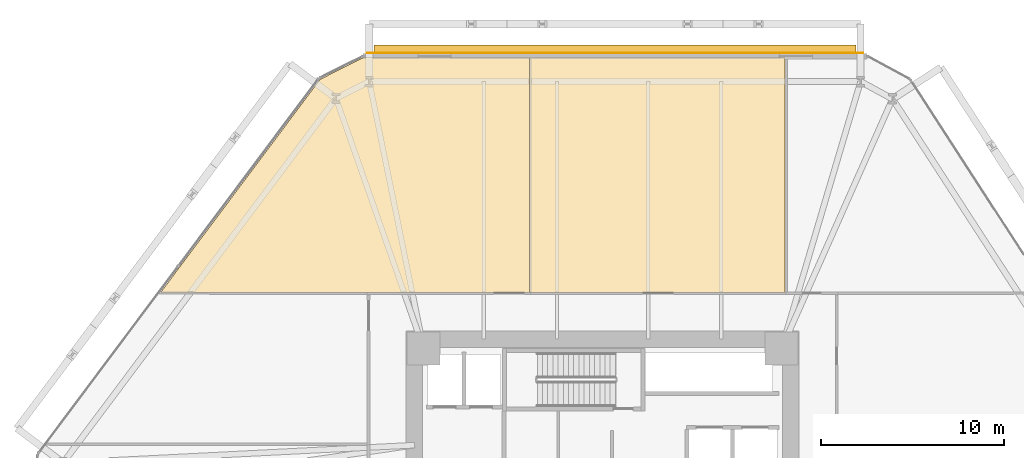
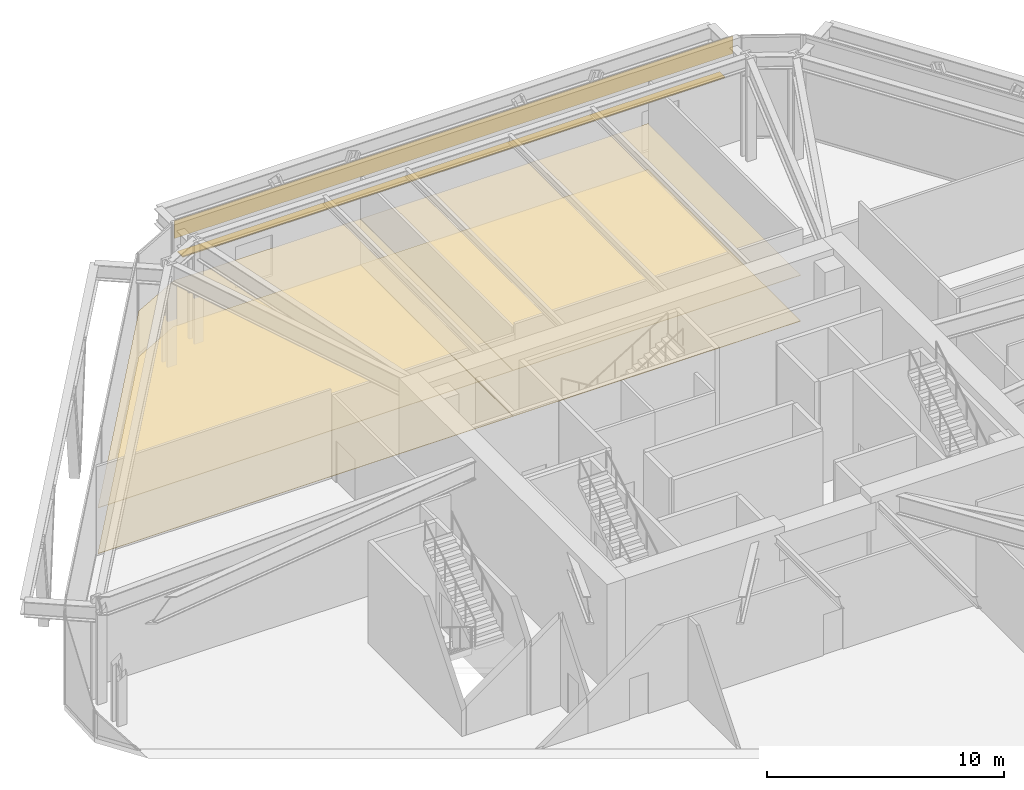
# One storey, part 19 of 19: 5 coverings, 1 shading device.
"""IFC4 building model written with IfcOpenShell, lengths in metres."""

from ifc_helpers import new_model, si_unit, direction, frame, origin, origin_2d, place, context, subcontext, project, spatial, polyline, rectangle, outline, extrude, source, transform, mapped, material, layer, layer_set, type_object, type_shapes, element, save


model = new_model("IFC4")

# Units and contexts
model_context = context("Model", 3, precision=1e-05, world=origin(), true_north=direction((0.0, 1.0)))
body_context = subcontext(model_context, "Body", "Model", "MODEL_VIEW")
ifc_project = project(units=[si_unit("LENGTHUNIT", "METRE"), si_unit("AREAUNIT", "SQUARE_METRE"), si_unit("VOLUMEUNIT", "CUBIC_METRE"), si_unit("PLANEANGLEUNIT", "RADIAN"), si_unit("MASSUNIT", "GRAM", prefix="KILO")], contexts=[model_context])

# Site, building, storey
site_placement = place(None, origin())
site = spatial("IfcSite", under=ifc_project, at=site_placement, CompositionType="ELEMENT")
building_placement = place(site_placement, origin())
building = spatial("IfcBuilding", under=site, at=building_placement, Name="Durnholm Broadcast Tower", CompositionType="ELEMENT")
storey_placement = place(building_placement, frame((0.0, 0.0, 15.60009765625)))
storey = spatial("IfcBuildingStorey", under=building, at=storey_placement, Name="L03", CompositionType="ELEMENT", Elevation=15.60009765625)

# Coverings
ifc_material_1 = material(Name="Mineral Fiber Acoustic Ceiling Tile", Category="concrete")
ifc_layer_1 = layer(ifc_material_1, 0.02490234375)
ifc_layer_set_1 = layer_set([ifc_layer_1], Name="Mineral Fiber Acoustic Ceiling Tile")
covering_type_1 = type_object("IfcCoveringType", Name="COV-CEIL-AC", PredefinedType="CEILING", material=ifc_layer_set_1)
covering_1_placement = place(storey_placement, frame((0.0, 0.0, 2.349853515625)))
element("IfcCovering", 1, at=covering_1_placement, inside=storey, type_object=covering_type_1, Name="L03 Television Production Hall 3A acoustic ceiling", PredefinedType="CEILING", context=body_context, shape_type="SweptSolid", body=[
    extrude(outline(polyline([(-4.0048828125, 23.715087890625), (-13.082763671875, 23.715087890625), (-15.461181640625, 22.5244140625), (-24.19384765625, 10.85498046875), (-4.0048828125, 10.85498046875), (-4.0048828125, 23.715087890625)])), origin(), (0.0, 0.0, 1.0), 0.025146484375),
])
covering_2_placement = place(storey_placement, frame((0.0, 0.0, 2.349853515625)))
element("IfcCovering", 2, at=covering_2_placement, inside=storey, type_object=covering_type_1, Name="L03 Broadcast Audience Auditorium 3B acoustic ceiling", PredefinedType="CEILING", context=body_context, shape_type="SweptSolid", body=[
    extrude(outline(polyline([(9.9951171875, 10.85498046875), (9.9951171875, 23.715087890625), (-3.9951171875, 23.715087890625), (-3.9951171875, 10.85498046875), (9.9951171875, 10.85498046875)])), origin(), (0.0, 0.0, 1.0), 0.025146484375),
])
ifc_material_2 = material(Name="Engineered Oak Acoustic Broadcast Flooring", Category="wood")
ifc_layer_2 = layer(ifc_material_2, 0.02001953125)
ifc_layer_set_2 = layer_set([ifc_layer_2], Name="Engineered Oak Acoustic Broadcast Flooring")
covering_type_2 = type_object("IfcCoveringType", Name="COV-FLR-OAK", PredefinedType="FLOORING", material=ifc_layer_set_2)
covering_3_placement = place(storey_placement, origin())
element("IfcCovering", 3, at=covering_3_placement, inside=storey, type_object=covering_type_2, Name="L03 Television Production Hall 3A acoustic oak flooring", PredefinedType="FLOORING", context=body_context, shape_type="SweptSolid", body=[
    extrude(outline(polyline([(-4.0048828125, 23.715087890625), (-13.082763671875, 23.715087890625), (-15.461181640625, 22.5244140625), (-24.19384765625, 10.85498046875), (-4.0048828125, 10.85498046875), (-4.0048828125, 23.715087890625)])), origin(), (0.0, 0.0, 1.0), 0.02001953125),
])
covering_4_placement = place(storey_placement, origin())
element("IfcCovering", 4, at=covering_4_placement, inside=storey, type_object=covering_type_2, Name="L03 Broadcast Audience Auditorium 3B acoustic oak flooring", PredefinedType="FLOORING", context=body_context, shape_type="SweptSolid", body=[
    extrude(outline(polyline([(9.9951171875, 10.85498046875), (9.9951171875, 23.715087890625), (-3.9951171875, 23.715087890625), (-3.9951171875, 10.85498046875), (9.9951171875, 10.85498046875)])), origin(), (0.0, 0.0, 1.0), 0.02001953125),
])
ifc_material_3 = material(Name="Anodised Aluminium Spandrel Cladding", Category="aluminium")
ifc_layer_3 = layer(ifc_material_3, 0.0400390625)
ifc_layer_set_3 = layer_set([ifc_layer_3], Name="Anodised Aluminium Spandrel Cladding")
covering_type_3 = type_object("IfcCoveringType", Name="COV-EXT-CLAD", PredefinedType="CLADDING", material=ifc_layer_set_3)
shared_shape_1 = source(origin(), body_context, "Body", "SweptSolid", [
    extrude(rectangle(XDim=27.177978515625, YDim=0.0400390625, at=origin_2d()), origin(), (0.0, 0.0, 1.0), 0.89990234375),
])
type_shapes(covering_type_3, [shared_shape_1])
covering_5_placement = place(storey_placement, frame((0.68603515625, 23.969970703125, 4.329833984375), z_axis=(0.0, 0.0, 1.0), x_axis=(1.0, 0.0, 0.0)))
element("IfcCovering", 5, at=covering_5_placement, inside=storey, type_object=covering_type_3, Name="L03 podium spandrel metal cladding 04", PredefinedType="CLADDING", context=body_context, shape_type="MappedRepresentation", body=[
    mapped(shared_shape_1, transform((0.0, 0.0, 0.0), x_axis=(1.0, 0.0, 0.0), y_axis=(0.0, 1.0, 0.0), z_axis=(0.0, 0.0, 1.0), scale=1.0)),
])

# Shading device
ifc_material_4 = material(Name="Extruded Aluminium Sunshade Fin", Category="aluminium")
ifc_layer_4 = layer(ifc_material_4, 0.06005859375)
ifc_layer_set_4 = layer_set([ifc_layer_4], Name="Extruded Aluminium Sunshade Fin")
shading_device_type = type_object("IfcShadingDeviceType", Name="SHD-SUN-BLADE", PredefinedType="JALOUSIE", material=ifc_layer_set_4)
shared_shape_2 = source(origin(), body_context, "Body", "SweptSolid", [
    extrude(rectangle(XDim=26.3779296875, YDim=0.449951171875, at=origin_2d()), origin(), (0.0, 0.0, 1.0), 0.06005859375),
])
type_shapes(shading_device_type, [shared_shape_2])
shading_device_placement = place(storey_placement, frame((0.68603515625, 24.169921875, 3.219970703125), z_axis=(0.0, 0.0, 1.0), x_axis=(1.0, 0.0, 0.0)))
element("IfcShadingDevice", 6, at=shading_device_placement, inside=storey, type_object=shading_device_type, Name="L03 studio horizontal solar sunshade 04", PredefinedType="JALOUSIE", context=body_context, shape_type="MappedRepresentation", body=[
    mapped(shared_shape_2, transform((0.0, 0.0, 0.0), x_axis=(1.0, 0.0, 0.0), y_axis=(0.0, 1.0, 0.0), z_axis=(0.0, 0.0, 1.0), scale=1.0)),
])

save(model, "model.ifc")
